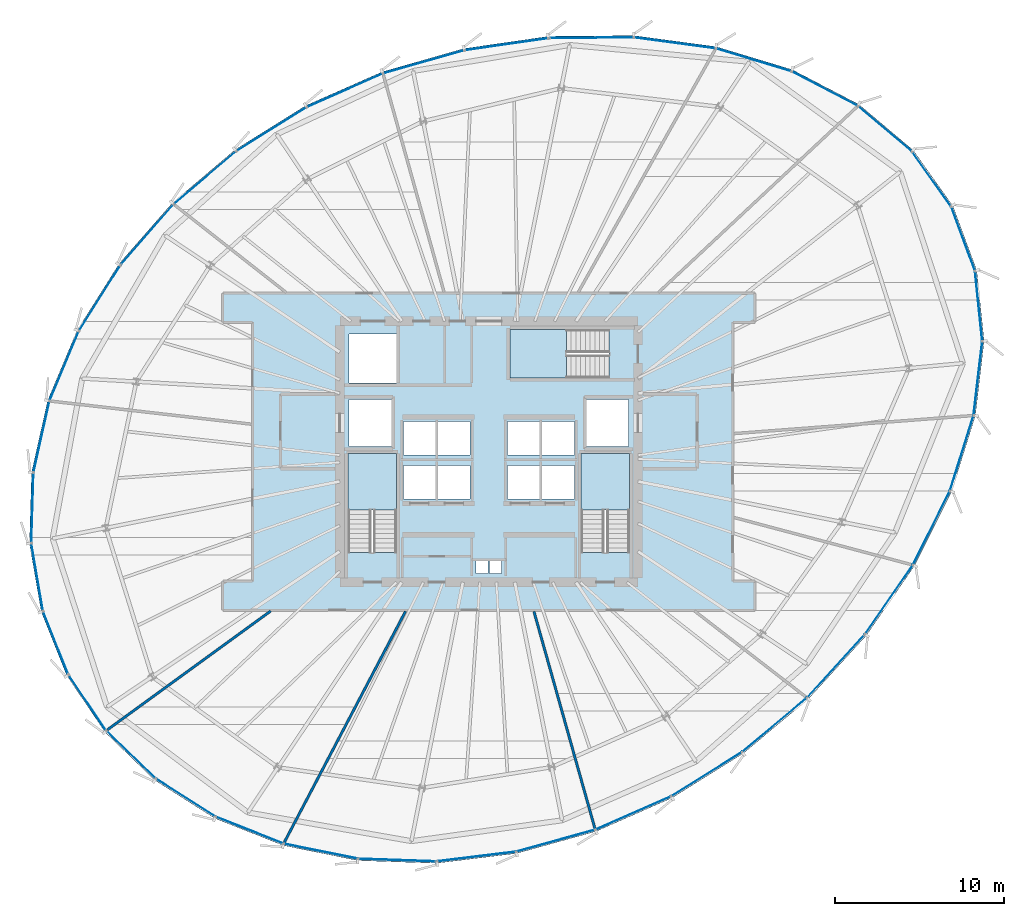
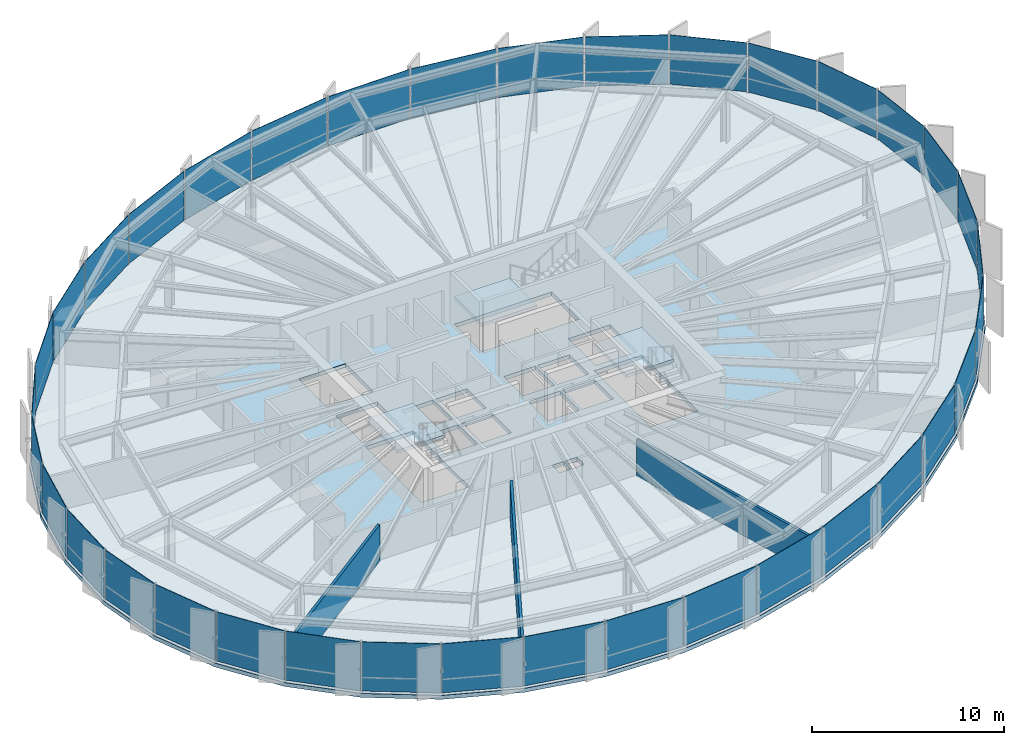
# One storey, part 28 of 35: 36 plates, 4 slabs, 3 walls, 9 elements without a shape of their own.
"""IFC4 building model written with IfcOpenShell, lengths in metres."""

import ifcopenshell
import ifcopenshell.guid

model = None  # the IFC model being written
_history = None  # IfcOwnerHistory: only IFC2X3 demands one
_inside = {}  # id of a spatial element -> (the spatial element, [elements in it])
_under = {}  # id of a project, library or spatial element -> (it, [spatial elements below it])
_declared = {}  # id of a project -> (the project, [libraries it declares])
_typed = {}  # id of a type object -> (the type object, [elements of that type])
_made_of = {}  # id of a material, layer set ... -> (it, [elements and type objects made of it])


def new_model(schema):
    """Start an empty IFC model of exactly this schema.

    Asked for "IFC4X3", IfcOpenShell would pick the latest addendum, in which some entities
    have other attributes; the version numbers below select the first issue.
    IFC2X3 requires an IfcOwnerHistory on every rooted entity: one is made here for all.
    """
    global model, _history
    if schema == "IFC4X3":
        model = ifcopenshell.file(schema_version=(4, 3, 0, 0))
    else:
        model = ifcopenshell.file(schema=schema)
    _inside.clear()
    _under.clear()
    _declared.clear()
    _typed.clear()
    _made_of.clear()
    _history = None
    if model.schema == "IFC2X3":
        org = make("IfcOrganization", Name="unknown")
        user = make(
            "IfcPersonAndOrganization",
            ThePerson=make("IfcPerson", FamilyName="unknown"),
            TheOrganization=org,
        )
        app = make(
            "IfcApplication",
            ApplicationDeveloper=org,
            Version="unknown",
            ApplicationFullName="unknown",
            ApplicationIdentifier="unknown",
        )
        _history = make(
            "IfcOwnerHistory",
            OwningUser=user,
            OwningApplication=app,
            ChangeAction="ADDED",
            CreationDate=0,
        )
    return model


def make(cls, **values):
    """One entity of the class cls with the attributes given. An attribute that is None is left unset."""
    return model.create_entity(
        cls, **{name: value for name, value in values.items() if value is not None}
    )


def rooted(cls, **values):
    """An entity with a GlobalId (a new one), such as an element, a storey or a relation."""
    return make(cls, GlobalId=ifcopenshell.guid.new(), OwnerHistory=_history, **values)


def si_unit(unit_type, name, prefix=None):
    """IfcSIUnit, for example si_unit("LENGTHUNIT", "METRE", prefix="MILLI")."""
    return make("IfcSIUnit", UnitType=unit_type, Prefix=prefix, Name=name)


def assignment(units):
    """IfcUnitAssignment: the units of a project."""
    return None if units is None else make("IfcUnitAssignment", Units=units)


def point(xyz):
    """IfcCartesianPoint."""
    return None if xyz is None else make("IfcCartesianPoint", Coordinates=xyz)


def direction(xyz):
    """IfcDirection."""
    return None if xyz is None else make("IfcDirection", DirectionRatios=xyz)


def frame(location, z_axis=None, x_axis=None):
    """IfcAxis2Placement3D, a coordinate frame: its origin and axes. An axis left out is left unset."""
    return make(
        "IfcAxis2Placement3D",
        Location=point(location),
        Axis=direction(z_axis),
        RefDirection=direction(x_axis),
    )


def frame_2d(location, x_axis=None):
    """IfcAxis2Placement2D, a coordinate frame in the plane: its origin and x axis."""
    return make(
        "IfcAxis2Placement2D", Location=point(location), RefDirection=direction(x_axis)
    )


def origin():
    """The frame at (0, 0, 0) with its axes left unset."""
    return frame((0.0, 0.0, 0.0))


def origin_2d():
    """The frame at (0, 0) in the plane with its x axis left unset."""
    return frame_2d((0.0, 0.0))


def place(relative_to, where):
    """IfcLocalPlacement: puts the frame where relative to a parent placement (None: the world)."""
    return make(
        "IfcLocalPlacement", PlacementRelTo=relative_to, RelativePlacement=where
    )


def context(
    kind, dimensions, precision=None, world=None, true_north=None, identifier=None
):
    """IfcGeometricRepresentationContext, for example the 3D "Model" context."""
    return make(
        "IfcGeometricRepresentationContext",
        ContextIdentifier=identifier,
        ContextType=kind,
        CoordinateSpaceDimension=dimensions,
        Precision=precision,
        WorldCoordinateSystem=world,
        TrueNorth=true_north,
    )


def subcontext(parent, identifier, kind, view, scale=None):
    """IfcGeometricRepresentationSubContext, for example "Body" below "Model"."""
    return make(
        "IfcGeometricRepresentationSubContext",
        ContextIdentifier=identifier,
        ContextType=kind,
        ParentContext=parent,
        TargetScale=scale,
        TargetView=view,
    )


def project(units=None, contexts=None):
    """IfcProject with its units and contexts."""
    return rooted(
        "IfcProject",
        Name="project",
        RepresentationContexts=contexts,
        UnitsInContext=assignment(units),
    )


def spatial(cls, under=None, at=None, **own):
    """A site, building, storey or space (cls), placed at a placement, below another one or the project."""
    s = rooted(cls, ObjectPlacement=at, **own)
    if under is not None:
        _under.setdefault(under.id(), (under, []))[1].append(s)
    return s


def polyline(points):
    """IfcPolyline through the points."""
    return make("IfcPolyline", Points=[point(p) for p in points])


def profile(cls, at=None, kind="AREA", **sizes):
    """A parametric profile (cls). Its sizes go by their IFC names, for example OverallWidth=200.0."""
    return make(cls, ProfileType=kind, Position=at, **sizes)


def rectangle(**sizes):
    """IfcRectangleProfileDef."""
    return profile("IfcRectangleProfileDef", **sizes)


def outline(outer, holes=None, kind="AREA"):
    """IfcArbitraryClosedProfileDef: a profile drawn as a closed curve; with holes, ...WithVoids."""
    if holes is None:
        return make("IfcArbitraryClosedProfileDef", ProfileType=kind, OuterCurve=outer)
    return make(
        "IfcArbitraryProfileDefWithVoids",
        ProfileType=kind,
        OuterCurve=outer,
        InnerCurves=holes,
    )


def extrude(swept, where, along, depth):
    """IfcExtrudedAreaSolid: the profile swept, set in the frame where, extruded along a direction by depth."""
    return make(
        "IfcExtrudedAreaSolid",
        SweptArea=swept,
        Position=where,
        ExtrudedDirection=direction(along),
        Depth=depth,
    )


def shape(context_of_items, identifier, shape_type, items):
    """IfcShapeRepresentation: the items that make up one representation, for example the "Body"."""
    return make(
        "IfcShapeRepresentation",
        ContextOfItems=context_of_items,
        RepresentationIdentifier=identifier,
        RepresentationType=shape_type,
        Items=items,
    )


def source(mapping_origin, context_of_items, identifier, shape_type, items):
    """IfcRepresentationMap: a shape defined once, which mapped items show again and again."""
    return make(
        "IfcRepresentationMap",
        MappingOrigin=mapping_origin,
        MappedRepresentation=shape(context_of_items, identifier, shape_type, items),
    )


def transform(
    local_origin,
    x_axis=None,
    y_axis=None,
    z_axis=None,
    scale=None,
    scale2=None,
    scale3=None,
    uniform=True,
):
    """IfcCartesianTransformationOperator3D, or its non-uniform kind. x_axis, y_axis, z_axis: its Axis1, 2, 3."""
    if uniform:
        return make(
            "IfcCartesianTransformationOperator3D",
            Axis1=direction(x_axis),
            Axis2=direction(y_axis),
            LocalOrigin=point(local_origin),
            Scale=scale,
            Axis3=direction(z_axis),
        )
    return make(
        "IfcCartesianTransformationOperator3DnonUniform",
        Axis1=direction(x_axis),
        Axis2=direction(y_axis),
        LocalOrigin=point(local_origin),
        Scale=scale,
        Axis3=direction(z_axis),
        Scale2=scale2,
        Scale3=scale3,
    )


def mapped(mapping_source, mapping_target):
    """IfcMappedItem: shows the shape of a source again, moved by a transform."""
    return make(
        "IfcMappedItem", MappingSource=mapping_source, MappingTarget=mapping_target
    )


def material(Name=None, Category=None):
    """IfcMaterial."""
    return make("IfcMaterial", Name=Name, Category=Category)


def layer(
    of_material, thickness, ventilated=None, Name=None, Category=None, Priority=None
):
    """IfcMaterialLayer: one layer of a wall or slab, of a material (None: an air gap)."""
    return make(
        "IfcMaterialLayer",
        Material=of_material,
        LayerThickness=thickness,
        IsVentilated=ventilated,
        Name=Name,
        Category=Category,
        Priority=Priority,
    )


def layer_set(layers, Name=None):
    """IfcMaterialLayerSet."""
    return make("IfcMaterialLayerSet", MaterialLayers=layers, LayerSetName=Name)


def made_of(thing, what):
    """Note that an element or type object is made of a material, layer set ...; save() writes the relation."""
    if what is not None:
        _made_of.setdefault(what.id(), (what, []))[1].append(thing)
    return thing


def type_object(cls, material=None, **own):
    """A type object (cls), such as IfcWallType, which elements share."""
    return made_of(rooted(cls, **own), material)


def element(
    cls,
    number,
    at=None,
    inside=None,
    cuts=None,
    type_object=None,
    material=None,
    context=None,
    identifier="Body",
    shape_type=None,
    held_by="IfcProductDefinitionShape",
    body=None,
    shapes=None,
    **own,
):
    """One element of the class cls, such as IfcWall. Its Tag is "e" and its number.

    at: its placement. inside: the storey or other place that contains it. cuts: it is an
    opening in that element (IfcRelVoidsElement). A single representation is given by context,
    identifier, shape_type and body (its items); several are given by shapes. held_by: the class
    of the entity that holds the representations. save() writes the other relations.
    """
    e = rooted(cls, Tag="e%d" % number, ObjectPlacement=at, **own)
    if body is not None:
        shapes = [shape(context, identifier, shape_type, body)]
    if shapes is not None:
        e.Representation = make(held_by, Representations=shapes)
    if inside is not None:
        _inside.setdefault(inside.id(), (inside, []))[1].append(e)
    if cuts is not None:
        rooted(
            "IfcRelVoidsElement", RelatingBuildingElement=cuts, RelatedOpeningElement=e
        )
    if type_object is not None:
        _typed.setdefault(type_object.id(), (type_object, []))[1].append(e)
    return made_of(e, material)


def aggregate(whole, parts):
    """IfcRelAggregates: a whole, such as a stair, and the parts it consists of."""
    return rooted("IfcRelAggregates", RelatingObject=whole, RelatedObjects=parts)


def save(model, path):
    """Write the relations noted so far, then the file.

    IfcRelAggregates (storeys below a building ...), IfcRelContainedInSpatialStructure (elements
    in a storey), IfcRelDefinesByType, IfcRelAssociatesMaterial and IfcRelDeclares: one each for
    every whole, place, type object, material and project.
    """
    for whole, parts in _under.values():
        aggregate(whole, parts)
    for where, things in _inside.values():
        rooted(
            "IfcRelContainedInSpatialStructure",
            RelatedElements=things,
            RelatingStructure=where,
        )
    for kind, things in _typed.values():
        rooted("IfcRelDefinesByType", RelatedObjects=things, RelatingType=kind)
    for what, things in _made_of.values():
        rooted("IfcRelAssociatesMaterial", RelatedObjects=things, RelatingMaterial=what)
    for by, libraries in _declared.values():
        rooted("IfcRelDeclares", RelatingContext=by, RelatedDefinitions=libraries)
    model.write(path)


model = new_model("IFC4")

# Units and contexts
model_context = context("Model", 3, precision=1e-05, world=origin(), true_north=direction((0.0, 1.0)))
body_context = subcontext(model_context, "Body", "Model", "MODEL_VIEW")
ifc_project = project(units=[si_unit("LENGTHUNIT", "METRE"), si_unit("AREAUNIT", "SQUARE_METRE"), si_unit("VOLUMEUNIT", "CUBIC_METRE"), si_unit("PLANEANGLEUNIT", "RADIAN"), si_unit("MASSUNIT", "GRAM", prefix="KILO"), si_unit("THERMODYNAMICTEMPERATUREUNIT", "KELVIN")], contexts=[model_context])

# Site, building, storey
site_placement = place(None, origin())
site = spatial("IfcSite", under=ifc_project, at=site_placement, CompositionType="ELEMENT")
building_placement = place(site_placement, origin())
building = spatial("IfcBuilding", under=site, at=building_placement, Name="Kethvar Cultural Tower", CompositionType="ELEMENT")
storey_placement = place(building_placement, frame((0.0, 0.0, 146.550048828125)))
storey = spatial("IfcBuildingStorey", under=building, at=storey_placement, Name="L37", CompositionType="ELEMENT", Elevation=146.550048828125)

# Stair, slab
ifc_material_1 = material(Name="Concrete C40/50", Category="concrete")
stair_type = type_object("IfcStairType", Name="ST-DOGLEG-135", PredefinedType="HALF_TURN_STAIR", material=ifc_material_1)
stair_1_placement = place(storey_placement, origin())
stair_1 = element("IfcStair", 1, at=stair_1_placement, inside=storey, type_object=stair_type, Name="L37 Core Exit Stair 1", PredefinedType="HALF_TURN_STAIR")
ifc_layer_1 = layer(ifc_material_1, 0.199951171875, Name="Concrete C40/50", Category="concrete")
ifc_layer_set_1 = layer_set([ifc_layer_1], Name="Concrete C40/50 (200 mm)")
slab_type_1 = type_object("IfcSlabType", Name="SL-STAIR-LANDING-200", PredefinedType="LANDING", material=ifc_layer_set_1)
slab_1_placement = place(storey_placement, frame((0.0, 0.0, 1.574951171875)))
slab_1 = element("IfcSlab", 2, at=slab_1_placement, type_object=slab_type_1, Name="ST-01 landing 1", PredefinedType="LANDING", context=body_context, shape_type="SweptSolid", body=[
    extrude(outline(polyline([(41.35009765625, 24.3701171875), (41.35009765625, 27.699951171875), (38.489990234375, 27.699951171875), (38.489990234375, 24.3701171875), (41.35009765625, 24.3701171875)])), origin(), (0.0, 0.0, 1.0), 0.199951171875),
])
aggregate(stair_1, [slab_1])

stair_2_placement = place(storey_placement, origin())
stair_2 = element("IfcStair", 3, at=stair_2_placement, inside=storey, type_object=stair_type, Name="L37 Core Exit Stair 2", PredefinedType="HALF_TURN_STAIR")
slab_2_placement = place(storey_placement, frame((0.0, 0.0, 1.574951171875)))
slab_2 = element("IfcSlab", 4, at=slab_2_placement, type_object=slab_type_1, Name="ST-02 landing 1", PredefinedType="LANDING", context=body_context, shape_type="SweptSolid", body=[
    extrude(outline(polyline([(55.110107421875, 24.3701171875), (55.110107421875, 27.699951171875), (52.25, 27.699951171875), (52.25, 24.3701171875), (55.110107421875, 24.3701171875)])), origin(), (0.0, 0.0, 1.0), 0.199951171875),
])
aggregate(stair_2, [slab_2])

stair_3_placement = place(storey_placement, origin())
stair_3 = element("IfcStair", 5, at=stair_3_placement, inside=storey, type_object=stair_type, Name="L37 Core Exit Stair 3", PredefinedType="HALF_TURN_STAIR")
slab_3_placement = place(storey_placement, frame((0.0, 0.0, 1.574951171875)))
slab_3 = element("IfcSlab", 6, at=slab_3_placement, type_object=slab_type_1, Name="ST-03 landing 1", PredefinedType="LANDING", context=body_context, shape_type="SweptSolid", body=[
    extrude(outline(polyline([(51.3798828125, 35.010009765625), (48.050048828125, 35.010009765625), (48.050048828125, 32.14990234375), (51.3798828125, 32.14990234375), (51.3798828125, 35.010009765625)])), origin(), (0.0, 0.0, 1.0), 0.199951171875),
])
aggregate(stair_3, [slab_3])

# Slab
ifc_layer_2 = layer(ifc_material_1, 0.25, Name="Concrete C40/50", Category="concrete")
ifc_layer_set_2 = layer_set([ifc_layer_2], Name="Concrete C40/50 (250 mm)")
slab_type_2 = type_object("IfcSlabType", Name="SL-TOW-250", PredefinedType="FLOOR", material=ifc_layer_set_2)
slab_4_placement = place(storey_placement, frame((0.0, 0.0, -0.25)))
element("IfcSlab", 7, at=slab_4_placement, inside=storey, type_object=slab_type_2, Name="L37 Structural Floor Slab", PredefinedType="FLOOR", context=body_context, shape_type="SweptSolid", body=[
    extrude(outline(polyline([(74.19970703125, 42.307373046875), (71.849609375, 45.60595703125), (68.639892578125, 48.311279296875), (64.70361328125, 50.360107421875), (60.210693359375, 51.716796875), (55.353759765625, 52.36962890625), (50.330810546875, 52.32568359375), (45.327880859375, 51.60400390625), (40.5048828125, 50.230712890625), (35.981201171875, 48.23291015625), (31.8173828125, 45.630859375), (28.10888671875, 42.487060546875), (24.968017578125, 38.89697265625), (22.49072265625, 34.969482421875), (20.751953125, 30.824462890625), (19.8046875, 26.58740234375), (19.677734375, 22.38720703125), (20.374755859375, 18.351318359375), (21.874755859375, 14.602783203125), (24.132080078125, 11.255126953125), (27.078125, 8.41015625), (30.62353515625, 6.154296875), (34.660400390625, 4.55615234375), (39.06591796875, 3.664306640625), (43.706787109375, 3.505859375), (48.44140625, 4.08544921875), (53.126220703125, 5.3857421875), (57.61865234375, 7.366943359375), (61.813720703125, 9.985595703125), (65.660400390625, 13.20263671875), (69.0693359375, 16.934814453125), (71.928955078125, 21.064453125), (74.118896484375, 25.448486328125), (75.522216796875, 29.927001953125), (76.040283203125, 34.334228515625), (75.606689453125, 38.509521484375), (74.19970703125, 42.307373046875)]), holes=[polyline([(38.489990234375, 21.85009765625), (38.489990234375, 27.699951171875), (41.35009765625, 27.699951171875), (41.35009765625, 21.85009765625), (38.489990234375, 21.85009765625)]), polyline([(52.25, 21.85009765625), (52.25, 27.699951171875), (55.110107421875, 27.699951171875), (55.110107421875, 21.85009765625), (52.25, 21.85009765625)]), polyline([(53.89990234375, 32.14990234375), (48.050048828125, 32.14990234375), (48.050048828125, 35.010009765625), (53.89990234375, 35.010009765625), (53.89990234375, 32.14990234375)]), polyline([(41.75, 27.0), (43.64990234375, 27.0), (43.64990234375, 25.0), (41.75, 25.0), (41.75, 27.0)]), polyline([(43.800048828125, 27.0), (45.699951171875, 27.0), (45.699951171875, 25.0), (43.800048828125, 25.0), (43.800048828125, 27.0)]), polyline([(47.89990234375, 27.0), (49.800048828125, 27.0), (49.800048828125, 25.0), (47.89990234375, 25.0), (47.89990234375, 27.0)]), polyline([(49.949951171875, 27.0), (51.85009765625, 27.0), (51.85009765625, 25.0), (49.949951171875, 25.0), (49.949951171875, 27.0)]), polyline([(41.75, 29.60009765625), (43.64990234375, 29.60009765625), (43.64990234375, 27.60009765625), (41.75, 27.60009765625), (41.75, 29.60009765625)]), polyline([(43.800048828125, 29.60009765625), (45.699951171875, 29.60009765625), (45.699951171875, 27.60009765625), (43.800048828125, 27.60009765625), (43.800048828125, 29.60009765625)]), polyline([(47.89990234375, 29.60009765625), (49.800048828125, 29.60009765625), (49.800048828125, 27.60009765625), (47.89990234375, 27.60009765625), (47.89990234375, 29.60009765625)]), polyline([(49.949951171875, 29.60009765625), (51.85009765625, 29.60009765625), (51.85009765625, 27.60009765625), (49.949951171875, 27.60009765625), (49.949951171875, 29.60009765625)]), polyline([(38.550048828125, 30.89990234375), (41.050048828125, 30.89990234375), (41.050048828125, 28.10009765625), (38.550048828125, 28.10009765625), (38.550048828125, 30.89990234375)]), polyline([(52.550048828125, 30.89990234375), (55.050048828125, 30.89990234375), (55.050048828125, 28.10009765625), (52.550048828125, 28.10009765625), (52.550048828125, 30.89990234375)]), polyline([(38.550048828125, 34.75), (41.35009765625, 34.75), (41.35009765625, 31.85009765625), (38.550048828125, 31.85009765625), (38.550048828125, 34.75)]), polyline([(46.050048828125, 21.35009765625), (46.75, 21.35009765625), (46.75, 20.60009765625), (46.050048828125, 20.60009765625), (46.050048828125, 21.35009765625)]), polyline([(46.85009765625, 21.35009765625), (47.550048828125, 21.35009765625), (47.550048828125, 20.60009765625), (46.85009765625, 20.60009765625), (46.85009765625, 21.35009765625)])]), origin(), (0.0, 0.0, 1.0), 0.25),
])

# Curtain wall, plate
ifc_material_2 = material(Name="Aluminium 6063-T6", Category="aluminium")
ifc_layer_3 = layer(ifc_material_2, 0.179931640625, Name="Aluminium 6063-T6", Category="aluminium")
ifc_layer_set_3 = layer_set([ifc_layer_3], Name="Aluminium 6063-T6 (180 mm)")
curtain_wall_type = type_object("IfcCurtainWallType", Name="CW-SYS-04-Z34", PredefinedType="NOTDEFINED", material=ifc_layer_set_3)
curtain_wall_1_placement = place(storey_placement, origin())
curtain_wall_1 = element("IfcCurtainWall", 8, at=curtain_wall_1_placement, inside=storey, type_object=curtain_wall_type, Name="L37 Curtain Wall Run 01", PredefinedType="NOTDEFINED")
ifc_material_3 = material(Name="Insulated Low-E Solar Glass", Category="glass")
ifc_layer_4 = layer(ifc_material_3, 0.030029296875, Name="Insulated Low-E Solar Glass", Category="glass")
ifc_layer_set_4 = layer_set([ifc_layer_4], Name="Insulated Low-E Solar Glass (30 mm)")
plate_type = type_object("IfcPlateType", Name="CW-SYS-04-Z34-PNL", PredefinedType="CURTAIN_PANEL", material=ifc_layer_set_4)
shared_shape_1 = source(origin(), body_context, "Body", "SweptSolid", [
    extrude(rectangle(XDim=3.963623046875, YDim=0.030029296875, at=origin_2d()), origin(), (0.0, 0.0, 1.0), 3.1201171875),
])
plate_1_placement = place(storey_placement, frame((72.93505859375, 43.892822265625, 0.08984375), z_axis=(0.0, 0.0, 1.0), x_axis=(-0.58027660624, 0.814419462102, 0.0)))
plate_1 = element("IfcPlate", 9, at=plate_1_placement, type_object=plate_type, Name="CW-L37-R01 Vision Glazing Panel 1", PredefinedType="CURTAIN_PANEL", context=body_context, shape_type="MappedRepresentation", body=[
    mapped(shared_shape_1, transform((0.0, 0.0, 0.0), scale=1.0)),
])

curtain_wall_2_placement = place(storey_placement, origin())
curtain_wall_2 = element("IfcCurtainWall", 10, at=curtain_wall_2_placement, inside=storey, type_object=curtain_wall_type, Name="L37 Curtain Wall Run 06", PredefinedType="NOTDEFINED")
plate_2_placement = place(storey_placement, frame((74.800048828125, 40.370361328125, 0.08984375), z_axis=(0.0, 0.0, 1.0), x_axis=(-0.347426681491, 0.937707150974, 0.0)))
plate_2 = element("IfcPlate", 11, at=plate_2_placement, type_object=plate_type, Name="CW-L37-R06 Vision Glazing Panel 6", PredefinedType="CURTAIN_PANEL", context=body_context, shape_type="MappedRepresentation", body=[
    mapped(shared_shape_1, transform((0.0, 0.0, 0.0), scale=1.0)),
])

# Plate
shared_shape_2 = source(origin(), body_context, "Body", "SweptSolid", [
    extrude(rectangle(XDim=4.111328125, YDim=0.030029296875, at=origin_2d()), origin(), (0.0, 0.0, 1.0), 3.1201171875),
])
plate_3_placement = place(storey_placement, frame((70.173828125, 46.87451171875, 0.08984375), z_axis=(0.0, 0.0, 1.0), x_axis=(-0.764595282687, 0.64451070875, 0.0)))
plate_3 = element("IfcPlate", 12, at=plate_3_placement, type_object=plate_type, Name="CW-L37-R01 Vision Glazing Panel 2", PredefinedType="CURTAIN_PANEL", context=body_context, shape_type="MappedRepresentation", body=[
    mapped(shared_shape_2, transform((0.0, 0.0, 0.0), scale=1.0)),
])

plate_4_placement = place(storey_placement, frame((75.714111328125, 36.41064453125, 0.08984375), z_axis=(0.0, 0.0, 1.0), x_axis=(-0.103295987937, 0.994650661728, 0.0)))
plate_4 = element("IfcPlate", 13, at=plate_4_placement, type_object=plate_type, Name="CW-L37-R06 Vision Glazing Panel 5", PredefinedType="CURTAIN_PANEL", context=body_context, shape_type="MappedRepresentation", body=[
    mapped(shared_shape_2, transform((0.0, 0.0, 0.0), scale=1.0)),
])

shared_shape_3 = source(origin(), body_context, "Body", "SweptSolid", [
    extrude(rectangle(XDim=4.351318359375, YDim=0.030029296875, at=origin_2d()), origin(), (0.0, 0.0, 1.0), 3.1201171875),
])
plate_5_placement = place(storey_placement, frame((66.62109375, 49.23828125, 0.08984375), z_axis=(0.0, 0.0, 1.0), x_axis=(-0.887043067151, 0.461686687072, 0.0)))
plate_5 = element("IfcPlate", 14, at=plate_5_placement, type_object=plate_type, Name="CW-L37-R01 Vision Glazing Panel 3", PredefinedType="CURTAIN_PANEL", context=body_context, shape_type="MappedRepresentation", body=[
    mapped(shared_shape_3, transform((0.0, 0.0, 0.0), scale=1.0)),
])

plate_6_placement = place(storey_placement, frame((75.672119140625, 32.1435546875, 0.08984375), z_axis=(0.0, 0.0, 1.0), x_axis=(0.116757407144, 0.993160464314, 0.0)))
plate_6 = element("IfcPlate", 15, at=plate_6_placement, type_object=plate_type, Name="CW-L37-R06 Vision Glazing Panel 4", PredefinedType="CURTAIN_PANEL", context=body_context, shape_type="MappedRepresentation", body=[
    mapped(shared_shape_3, transform((0.0, 0.0, 0.0), scale=1.0)),
])

shared_shape_4 = source(origin(), body_context, "Body", "SweptSolid", [
    extrude(rectangle(XDim=4.606689453125, YDim=0.030029296875, at=origin_2d()), origin(), (0.0, 0.0, 1.0), 3.1201171875),
])
plate_7_placement = place(storey_placement, frame((62.42529296875, 50.93310546875, 0.08984375), z_axis=(0.0, 0.0, 1.0), x_axis=(-0.95731445283, 0.289048505278, 0.0)))
plate_7 = element("IfcPlate", 16, at=plate_7_placement, type_object=plate_type, Name="CW-L37-R01 Vision Glazing Panel 4", PredefinedType="CURTAIN_PANEL", context=body_context, shape_type="MappedRepresentation", body=[
    mapped(shared_shape_4, transform((0.0, 0.0, 0.0), scale=1.0)),
])

shared_shape_5 = source(origin(), body_context, "Body", "SweptSolid", [
    extrude(rectangle(XDim=4.814208984375, YDim=0.030029296875, at=origin_2d()), origin(), (0.0, 0.0, 1.0), 3.1201171875),
])
plate_8_placement = place(storey_placement, frame((57.767578125, 51.93408203125, 0.08984375), z_axis=(0.0, 0.0, 1.0), x_axis=(-0.991085801498, 0.133225125519, 0.0)))
plate_8 = element("IfcPlate", 17, at=plate_8_placement, type_object=plate_type, Name="CW-L37-R01 Vision Glazing Panel 5", PredefinedType="CURTAIN_PANEL", context=body_context, shape_type="MappedRepresentation", body=[
    mapped(shared_shape_5, transform((0.0, 0.0, 0.0), scale=1.0)),
])

plate_9_placement = place(storey_placement, frame((72.925537109375, 23.3056640625, 0.08984375), z_axis=(0.0, 0.0, 1.0), x_axis=(0.446869328091, 0.894599241902, 0.0)))
plate_9 = element("IfcPlate", 18, at=plate_9_placement, type_object=plate_type, Name="CW-L37-R06 Vision Glazing Panel 2", PredefinedType="CURTAIN_PANEL", context=body_context, shape_type="MappedRepresentation", body=[
    mapped(shared_shape_5, transform((0.0, 0.0, 0.0), scale=1.0)),
])

shared_shape_6 = source(origin(), body_context, "Body", "SweptSolid", [
    extrude(rectangle(XDim=4.936767578125, YDim=0.030029296875, at=origin_2d()), origin(), (0.0, 0.0, 1.0), 3.1201171875),
])
plate_10_placement = place(storey_placement, frame((52.84326171875, 52.23779296875, 0.08984375), z_axis=(0.0, 0.0, 1.0), x_axis=(-0.999961770605, -0.008743988125, 0.0)))
plate_10 = element("IfcPlate", 19, at=plate_10_placement, type_object=plate_type, Name="CW-L37-R01 Vision Glazing Panel 6", PredefinedType="CURTAIN_PANEL", context=body_context, shape_type="MappedRepresentation", body=[
    mapped(shared_shape_6, transform((0.0, 0.0, 0.0), scale=1.0)),
])

aggregate(curtain_wall_1, [plate_1, plate_3, plate_5, plate_7, plate_8, plate_10])

plate_11_placement = place(storey_placement, frame((70.40869140625, 19.062255859375, 0.08984375), z_axis=(0.0, 0.0, 1.0), x_axis=(0.569308221325, 0.822124168926, 0.0)))
plate_11 = element("IfcPlate", 20, at=plate_11_placement, type_object=plate_type, Name="CW-L37-R06 Vision Glazing Panel 1", PredefinedType="CURTAIN_PANEL", context=body_context, shape_type="MappedRepresentation", body=[
    mapped(shared_shape_6, transform((0.0, 0.0, 0.0), scale=1.0)),
])

# Curtain wall, plate
curtain_wall_3_placement = place(storey_placement, origin())
curtain_wall_3 = element("IfcCurtainWall", 21, at=curtain_wall_3_placement, inside=storey, type_object=curtain_wall_type, Name="L37 Curtain Wall Run 02", PredefinedType="NOTDEFINED")
shared_shape_7 = source(origin(), body_context, "Body", "SweptSolid", [
    extrude(rectangle(XDim=4.968017578125, YDim=0.030029296875, at=origin_2d()), origin(), (0.0, 0.0, 1.0), 3.1201171875),
])
plate_12_placement = place(storey_placement, frame((47.844970703125, 51.85595703125, 0.08984375), z_axis=(0.0, 0.0, 1.0), x_axis=(-0.989756306504, -0.142767131147, 0.0)))
plate_12 = element("IfcPlate", 22, at=plate_12_placement, type_object=plate_type, Name="CW-L37-R02 Vision Glazing Panel 1", PredefinedType="CURTAIN_PANEL", context=body_context, shape_type="MappedRepresentation", body=[
    mapped(shared_shape_7, transform((0.0, 0.0, 0.0), scale=1.0)),
])

curtain_wall_4_placement = place(storey_placement, origin())
curtain_wall_4 = element("IfcCurtainWall", 23, at=curtain_wall_4_placement, inside=storey, type_object=curtain_wall_type, Name="L37 Curtain Wall Run 05", PredefinedType="NOTDEFINED")
plate_13_placement = place(storey_placement, frame((67.28369140625, 15.142822265625, 0.08984375), z_axis=(0.0, 0.0, 1.0), x_axis=(0.674405488827, 0.738361183053, 0.0)))
plate_13 = element("IfcPlate", 24, at=plate_13_placement, type_object=plate_type, Name="CW-L37-R05 Vision Glazing Panel 6", PredefinedType="CURTAIN_PANEL", context=body_context, shape_type="MappedRepresentation", body=[
    mapped(shared_shape_7, transform((0.0, 0.0, 0.0), scale=1.0)),
])

# Plate
shared_shape_8 = source(origin(), body_context, "Body", "SweptSolid", [
    extrude(rectangle(XDim=4.92822265625, YDim=0.030029296875, at=origin_2d()), origin(), (0.0, 0.0, 1.0), 3.1201171875),
])
plate_14_placement = place(storey_placement, frame((42.946533203125, 50.8115234375, 0.08984375), z_axis=(0.0, 0.0, 1.0), x_axis=(-0.961765213339, -0.273875289887, 0.0)))
plate_14 = element("IfcPlate", 25, at=plate_14_placement, type_object=plate_type, Name="CW-L37-R02 Vision Glazing Panel 2", PredefinedType="CURTAIN_PANEL", context=body_context, shape_type="MappedRepresentation", body=[
    mapped(shared_shape_8, transform((0.0, 0.0, 0.0), scale=1.0)),
])

plate_15_placement = place(storey_placement, frame((63.66650390625, 11.678466796875, 0.08984375), z_axis=(0.0, 0.0, 1.0), x_axis=(0.767097975161, 0.641529965399, 0.0)))
plate_15 = element("IfcPlate", 26, at=plate_15_placement, type_object=plate_type, Name="CW-L37-R05 Vision Glazing Panel 5", PredefinedType="CURTAIN_PANEL", context=body_context, shape_type="MappedRepresentation", body=[
    mapped(shared_shape_8, transform((0.0, 0.0, 0.0), scale=1.0)),
])

shared_shape_9 = source(origin(), body_context, "Body", "SweptSolid", [
    extrude(rectangle(XDim=4.858642578125, YDim=0.030029296875, at=origin_2d()), origin(), (0.0, 0.0, 1.0), 3.1201171875),
])
plate_16_placement = place(storey_placement, frame((38.28759765625, 49.131103515625, 0.08984375), z_axis=(0.0, 0.0, 1.0), x_axis=(-0.914769400025, -0.403976416115, 0.0)))
plate_16 = element("IfcPlate", 27, at=plate_16_placement, type_object=plate_type, Name="CW-L37-R02 Vision Glazing Panel 3", PredefinedType="CURTAIN_PANEL", context=body_context, shape_type="MappedRepresentation", body=[
    mapped(shared_shape_9, transform((0.0, 0.0, 0.0), scale=1.0)),
])

plate_17_placement = place(storey_placement, frame((59.657958984375, 8.76953125, 0.08984375), z_axis=(0.0, 0.0, 1.0), x_axis=(0.848306962287, 0.52950476649, 0.0)))
plate_17 = element("IfcPlate", 28, at=plate_17_placement, type_object=plate_type, Name="CW-L37-R05 Vision Glazing Panel 4", PredefinedType="CURTAIN_PANEL", context=body_context, shape_type="MappedRepresentation", body=[
    mapped(shared_shape_9, transform((0.0, 0.0, 0.0), scale=1.0)),
])

shared_shape_10 = source(origin(), body_context, "Body", "SweptSolid", [
    extrude(rectangle(XDim=4.82373046875, YDim=0.030029296875, at=origin_2d()), origin(), (0.0, 0.0, 1.0), 3.1201171875),
])
plate_18_placement = place(storey_placement, frame((33.957763671875, 46.838623046875, 0.08984375), z_axis=(0.0, 0.0, 1.0), x_axis=(-0.848029597968, -0.529948866373, 0.0)))
plate_18 = element("IfcPlate", 29, at=plate_18_placement, type_object=plate_type, Name="CW-L37-R02 Vision Glazing Panel 4", PredefinedType="CURTAIN_PANEL", context=body_context, shape_type="MappedRepresentation", body=[
    mapped(shared_shape_10, transform((0.0, 0.0, 0.0), scale=1.0)),
])

shared_shape_11 = source(origin(), body_context, "Body", "SweptSolid", [
    extrude(rectangle(XDim=4.775390625, YDim=0.030029296875, at=origin_2d()), origin(), (0.0, 0.0, 1.0), 3.1201171875),
])
plate_19_placement = place(storey_placement, frame((30.0341796875, 43.97509765625, 0.08984375), z_axis=(0.0, 0.0, 1.0), x_axis=(-0.762803776302, -0.646630032444, 0.0)))
plate_19 = element("IfcPlate", 30, at=plate_19_placement, type_object=plate_type, Name="CW-L37-R02 Vision Glazing Panel 5", PredefinedType="CURTAIN_PANEL", context=body_context, shape_type="MappedRepresentation", body=[
    mapped(shared_shape_11, transform((0.0, 0.0, 0.0), scale=1.0)),
])

plate_20_placement = place(storey_placement, frame((50.75439453125, 4.841552734375, 0.08984375), z_axis=(0.0, 0.0, 1.0), x_axis=(0.963579129365, 0.267423374918, 0.0)))
plate_20 = element("IfcPlate", 31, at=plate_20_placement, type_object=plate_type, Name="CW-L37-R05 Vision Glazing Panel 2", PredefinedType="CURTAIN_PANEL", context=body_context, shape_type="MappedRepresentation", body=[
    mapped(shared_shape_11, transform((0.0, 0.0, 0.0), scale=1.0)),
])

shared_shape_12 = source(origin(), body_context, "Body", "SweptSolid", [
    extrude(rectangle(XDim=4.68359375, YDim=0.030029296875, at=origin_2d()), origin(), (0.0, 0.0, 1.0), 3.1201171875),
])
plate_21_placement = place(storey_placement, frame((26.62109375, 40.61962890625, 0.08984375), z_axis=(0.0, 0.0, 1.0), x_axis=(-0.658413641414, -0.752656280648, 0.0)))
plate_21 = element("IfcPlate", 32, at=plate_21_placement, type_object=plate_type, Name="CW-L37-R02 Vision Glazing Panel 6", PredefinedType="CURTAIN_PANEL", context=body_context, shape_type="MappedRepresentation", body=[
    mapped(shared_shape_12, transform((0.0, 0.0, 0.0), scale=1.0)),
])

aggregate(curtain_wall_3, [plate_12, plate_14, plate_16, plate_18, plate_19, plate_21])

plate_22_placement = place(storey_placement, frame((46.060791015625, 3.90478515625, 0.08984375), z_axis=(0.0, 0.0, 1.0), x_axis=(0.99259075242, 0.121505548063, 0.0)))
plate_22 = element("IfcPlate", 33, at=plate_22_placement, type_object=plate_type, Name="CW-L37-R05 Vision Glazing Panel 1", PredefinedType="CURTAIN_PANEL", context=body_context, shape_type="MappedRepresentation", body=[
    mapped(shared_shape_12, transform((0.0, 0.0, 0.0), scale=1.0)),
])

# Curtain wall, plates
curtain_wall_5_placement = place(storey_placement, origin())
curtain_wall_5 = element("IfcCurtainWall", 34, at=curtain_wall_5_placement, inside=storey, type_object=curtain_wall_type, Name="L37 Curtain Wall Run 03", PredefinedType="NOTDEFINED")
shared_shape_13 = source(origin(), body_context, "Body", "SweptSolid", [
    extrude(rectangle(XDim=4.556884765625, YDim=0.030029296875, at=origin_2d()), origin(), (0.0, 0.0, 1.0), 3.1201171875),
])
plate_23_placement = place(storey_placement, frame((23.822509765625, 36.87451171875, 0.08984375), z_axis=(0.0, 0.0, 1.0), x_axis=(-0.533511186788, -0.845793008704, 0.0)))
plate_23 = element("IfcPlate", 35, at=plate_23_placement, type_object=plate_type, Name="CW-L37-R03 Vision Glazing Panel 1", PredefinedType="CURTAIN_PANEL", context=body_context, shape_type="MappedRepresentation", body=[
    mapped(shared_shape_13, transform((0.0, 0.0, 0.0), scale=1.0)),
])
shared_shape_14 = source(origin(), body_context, "Body", "SweptSolid", [
    extrude(rectangle(XDim=4.40869140625, YDim=0.030029296875, at=origin_2d()), origin(), (0.0, 0.0, 1.0), 3.1201171875),
])
plate_24_placement = place(storey_placement, frame((21.722900390625, 32.8544921875, 0.08984375), z_axis=(0.0, 0.0, 1.0), x_axis=(-0.386823626854, -0.922153719131, 0.0)))
plate_24 = element("IfcPlate", 36, at=plate_24_placement, type_object=plate_type, Name="CW-L37-R03 Vision Glazing Panel 2", PredefinedType="CURTAIN_PANEL", context=body_context, shape_type="MappedRepresentation", body=[
    mapped(shared_shape_14, transform((0.0, 0.0, 0.0), scale=1.0)),
])

# Curtain wall, plate
curtain_wall_6_placement = place(storey_placement, origin())
curtain_wall_6 = element("IfcCurtainWall", 37, at=curtain_wall_6_placement, inside=storey, type_object=curtain_wall_type, Name="L37 Curtain Wall Run 04", PredefinedType="NOTDEFINED")
plate_25_placement = place(storey_placement, frame((36.885009765625, 4.218017578125, 0.08984375), z_axis=(0.0, 0.0, 1.0), x_axis=(0.980122558404, -0.198392969907, 0.0)))
plate_25 = element("IfcPlate", 38, at=plate_25_placement, type_object=plate_type, Name="CW-L37-R04 Vision Glazing Panel 5", PredefinedType="CURTAIN_PANEL", context=body_context, shape_type="MappedRepresentation", body=[
    mapped(shared_shape_14, transform((0.0, 0.0, 0.0), scale=1.0)),
])

# Plate
shared_shape_15 = source(origin(), body_context, "Body", "SweptSolid", [
    extrude(rectangle(XDim=4.255126953125, YDim=0.030029296875, at=origin_2d()), origin(), (0.0, 0.0, 1.0), 3.1201171875),
])
plate_26_placement = place(storey_placement, frame((20.3857421875, 28.681884765625, 0.08984375), z_axis=(0.0, 0.0, 1.0), x_axis=(-0.218160274324, -0.975912954472, 0.0)))
plate_26 = element("IfcPlate", 39, at=plate_26_placement, type_object=plate_type, Name="CW-L37-R03 Vision Glazing Panel 3", PredefinedType="CURTAIN_PANEL", context=body_context, shape_type="MappedRepresentation", body=[
    mapped(shared_shape_15, transform((0.0, 0.0, 0.0), scale=1.0)),
])

plate_27_placement = place(storey_placement, frame((32.682373046875, 5.45751953125, 0.08984375), z_axis=(0.0, 0.0, 1.0), x_axis=(0.929782910732, -0.368108324968, 0.0)))
plate_27 = element("IfcPlate", 40, at=plate_27_placement, type_object=plate_type, Name="CW-L37-R04 Vision Glazing Panel 4", PredefinedType="CURTAIN_PANEL", context=body_context, shape_type="MappedRepresentation", body=[
    mapped(shared_shape_15, transform((0.0, 0.0, 0.0), scale=1.0)),
])

shared_shape_16 = source(origin(), body_context, "Body", "SweptSolid", [
    extrude(rectangle(XDim=4.11572265625, YDim=0.030029296875, at=origin_2d()), origin(), (0.0, 0.0, 1.0), 3.1201171875),
])
plate_28_placement = place(storey_placement, frame((19.851318359375, 24.48388671875, 0.08984375), z_axis=(0.0, 0.0, 1.0), x_axis=(-0.030224498969, -0.999543135468, 0.0)))
plate_28 = element("IfcPlate", 41, at=plate_28_placement, type_object=plate_type, Name="CW-L37-R03 Vision Glazing Panel 4", PredefinedType="CURTAIN_PANEL", context=body_context, shape_type="MappedRepresentation", body=[
    mapped(shared_shape_16, transform((0.0, 0.0, 0.0), scale=1.0)),
])

plate_29_placement = place(storey_placement, frame((28.909912109375, 7.375, 0.08984375), z_axis=(0.0, 0.0, 1.0), x_axis=(0.84369139897, -0.536828485928, 0.0)))
plate_29 = element("IfcPlate", 42, at=plate_29_placement, type_object=plate_type, Name="CW-L37-R04 Vision Glazing Panel 3", PredefinedType="CURTAIN_PANEL", context=body_context, shape_type="MappedRepresentation", body=[
    mapped(shared_shape_16, transform((0.0, 0.0, 0.0), scale=1.0)),
])

shared_shape_17 = source(origin(), body_context, "Body", "SweptSolid", [
    extrude(rectangle(XDim=4.00927734375, YDim=0.030029296875, at=origin_2d()), origin(), (0.0, 0.0, 1.0), 3.1201171875),
])
plate_30_placement = place(storey_placement, frame((20.134765625, 20.387939453125, 0.08984375), z_axis=(0.0, 0.0, 1.0), x_axis=(0.170192300528, -0.98541086905, 0.0)))
plate_30 = element("IfcPlate", 43, at=plate_30_placement, type_object=plate_type, Name="CW-L37-R03 Vision Glazing Panel 5", PredefinedType="CURTAIN_PANEL", context=body_context, shape_type="MappedRepresentation", body=[
    mapped(shared_shape_17, transform((0.0, 0.0, 0.0), scale=1.0)),
])

shared_shape_18 = source(origin(), body_context, "Body", "SweptSolid", [
    extrude(rectangle(XDim=3.951171875, YDim=0.030029296875, at=origin_2d()), origin(), (0.0, 0.0, 1.0), 3.1201171875),
])
plate_31_placement = place(storey_placement, frame((21.226806640625, 16.51806640625, 0.08984375), z_axis=(0.0, 0.0, 1.0), x_axis=(0.371513677181, -0.928427481103, 0.0)))
plate_31 = element("IfcPlate", 44, at=plate_31_placement, type_object=plate_type, Name="CW-L37-R03 Vision Glazing Panel 6", PredefinedType="CURTAIN_PANEL", context=body_context, shape_type="MappedRepresentation", body=[
    mapped(shared_shape_18, transform((0.0, 0.0, 0.0), scale=1.0)),
])

aggregate(curtain_wall_5, [plate_23, plate_24, plate_26, plate_28, plate_30, plate_31])

shared_shape_19 = source(origin(), body_context, "Body", "SweptSolid", [
    extrude(rectangle(XDim=3.951416015625, YDim=0.030029296875, at=origin_2d()), origin(), (0.0, 0.0, 1.0), 3.1201171875),
])
plate_32_placement = place(storey_placement, frame((23.0947265625, 12.990478515625, 0.08984375), z_axis=(0.0, 0.0, 1.0), x_axis=(0.559062671655, -0.829125400143, 0.0)))
plate_32 = element("IfcPlate", 45, at=plate_32_placement, type_object=plate_type, Name="CW-L37-R04 Vision Glazing Panel 1", PredefinedType="CURTAIN_PANEL", context=body_context, shape_type="MappedRepresentation", body=[
    mapped(shared_shape_19, transform((0.0, 0.0, 0.0), scale=1.0)),
])

shared_shape_20 = source(origin(), body_context, "Body", "SweptSolid", [
    extrude(rectangle(XDim=4.009033203125, YDim=0.030029296875, at=origin_2d()), origin(), (0.0, 0.0, 1.0), 3.1201171875),
])
plate_33_placement = place(storey_placement, frame((25.681640625, 9.91162109375, 0.08984375), z_axis=(0.0, 0.0, 1.0), x_axis=(0.719351924305, -0.694645815505, 0.0)))
plate_33 = element("IfcPlate", 46, at=plate_33_placement, type_object=plate_type, Name="CW-L37-R04 Vision Glazing Panel 2", PredefinedType="CURTAIN_PANEL", context=body_context, shape_type="MappedRepresentation", body=[
    mapped(shared_shape_20, transform((0.0, 0.0, 0.0), scale=1.0)),
])

shared_shape_21 = source(origin(), body_context, "Body", "SweptSolid", [
    extrude(rectangle(XDim=4.55712890625, YDim=0.030029296875, at=origin_2d()), origin(), (0.0, 0.0, 1.0), 3.1201171875),
])
plate_34_placement = place(storey_placement, frame((41.39013671875, 3.695068359375, 0.08984375), z_axis=(0.0, 0.0, 1.0), x_axis=(0.999417333216, -0.034132009428, 0.0)))
plate_34 = element("IfcPlate", 47, at=plate_34_placement, type_object=plate_type, Name="CW-L37-R04 Vision Glazing Panel 6", PredefinedType="CURTAIN_PANEL", context=body_context, shape_type="MappedRepresentation", body=[
    mapped(shared_shape_21, transform((0.0, 0.0, 0.0), scale=1.0)),
])

aggregate(curtain_wall_6, [plate_32, plate_33, plate_29, plate_27, plate_25, plate_34])

shared_shape_22 = source(origin(), body_context, "Body", "SweptSolid", [
    extrude(rectangle(XDim=4.823486328125, YDim=0.030029296875, at=origin_2d()), origin(), (0.0, 0.0, 1.0), 3.1201171875),
])
plate_35_placement = place(storey_placement, frame((55.327880859375, 6.47705078125, 0.08984375), z_axis=(0.0, 0.0, 1.0), x_axis=(0.914966710905, 0.403529327232, 0.0)))
plate_35 = element("IfcPlate", 48, at=plate_35_placement, type_object=plate_type, Name="CW-L37-R05 Vision Glazing Panel 3", PredefinedType="CURTAIN_PANEL", context=body_context, shape_type="MappedRepresentation", body=[
    mapped(shared_shape_22, transform((0.0, 0.0, 0.0), scale=1.0)),
])

aggregate(curtain_wall_4, [plate_22, plate_20, plate_35, plate_17, plate_15, plate_13])

shared_shape_23 = source(origin(), body_context, "Body", "SweptSolid", [
    extrude(rectangle(XDim=4.60693359375, YDim=0.030029296875, at=origin_2d()), origin(), (0.0, 0.0, 1.0), 3.1201171875),
])
plate_36_placement = place(storey_placement, frame((74.715576171875, 27.720703125, 0.08984375), z_axis=(0.0, 0.0, 1.0), x_axis=(0.299024137575, 0.954245547617, 0.0)))
plate_36 = element("IfcPlate", 49, at=plate_36_placement, type_object=plate_type, Name="CW-L37-R06 Vision Glazing Panel 3", PredefinedType="CURTAIN_PANEL", context=body_context, shape_type="MappedRepresentation", body=[
    mapped(shared_shape_23, transform((0.0, 0.0, 0.0), scale=1.0)),
])

aggregate(curtain_wall_2, [plate_11, plate_9, plate_36, plate_6, plate_4, plate_2])

# Walls
ifc_material_4 = material(Name="Gypsum Acoustic Partition")
ifc_layer_5 = layer(ifc_material_4, 0.14990234375, Name="Gypsum Acoustic Partition")
ifc_layer_set_5 = layer_set([ifc_layer_5], Name="Gypsum Acoustic Partition (150 mm)")
wall_type = type_object("IfcWallType", Name="WL-PART-150", PredefinedType="PARTITIONING", material=ifc_layer_set_5)
wall_1_placement = place(storey_placement, frame((33.925048828125, 18.40283203125, 0.0), z_axis=(0.0, 0.0, 1.0), x_axis=(-0.808658108414, -0.588278899584, 0.0)))
element("IfcWall", 50, at=wall_1_placement, inside=storey, type_object=wall_type, Name="L37 Radial Partition Wall 01", PredefinedType="PARTITIONING", context=body_context, shape_type="SweptSolid", body=[
    extrude(rectangle(XDim=11.915771484375, YDim=0.14990234375, at=frame_2d((5.9580078125, 0.0))), origin(), (0.0, 0.0, 1.0), 2.304931640625),
])
wall_2_placement = place(storey_placement, frame((41.87939453125, 18.379150390625, 0.0), z_axis=(0.0, 0.0, 1.0), x_axis=(-0.464680296379, -0.885478527214, 0.0)))
element("IfcWall", 51, at=wall_2_placement, inside=storey, type_object=wall_type, Name="L37 Radial Partition Wall 02", PredefinedType="PARTITIONING", context=body_context, shape_type="SweptSolid", body=[
    extrude(rectangle(XDim=15.388916015625, YDim=0.14990234375, at=frame_2d((7.6943359375, 0.0))), origin(), (0.0, 0.0, 1.0), 2.304931640625),
])
wall_3_placement = place(storey_placement, frame((49.460693359375, 18.373046875, 0.0), z_axis=(0.0, 0.0, 1.0), x_axis=(0.270512485331, -0.962716466713, 0.0)))
element("IfcWall", 52, at=wall_3_placement, inside=storey, type_object=wall_type, Name="L37 Radial Partition Wall 03", PredefinedType="PARTITIONING", context=body_context, shape_type="SweptSolid", body=[
    extrude(rectangle(XDim=13.285888671875, YDim=0.14990234375, at=frame_2d((6.64306640625, 0.0))), origin(), (0.0, 0.0, 1.0), 2.304931640625),
])

save(model, "model.ifc")
